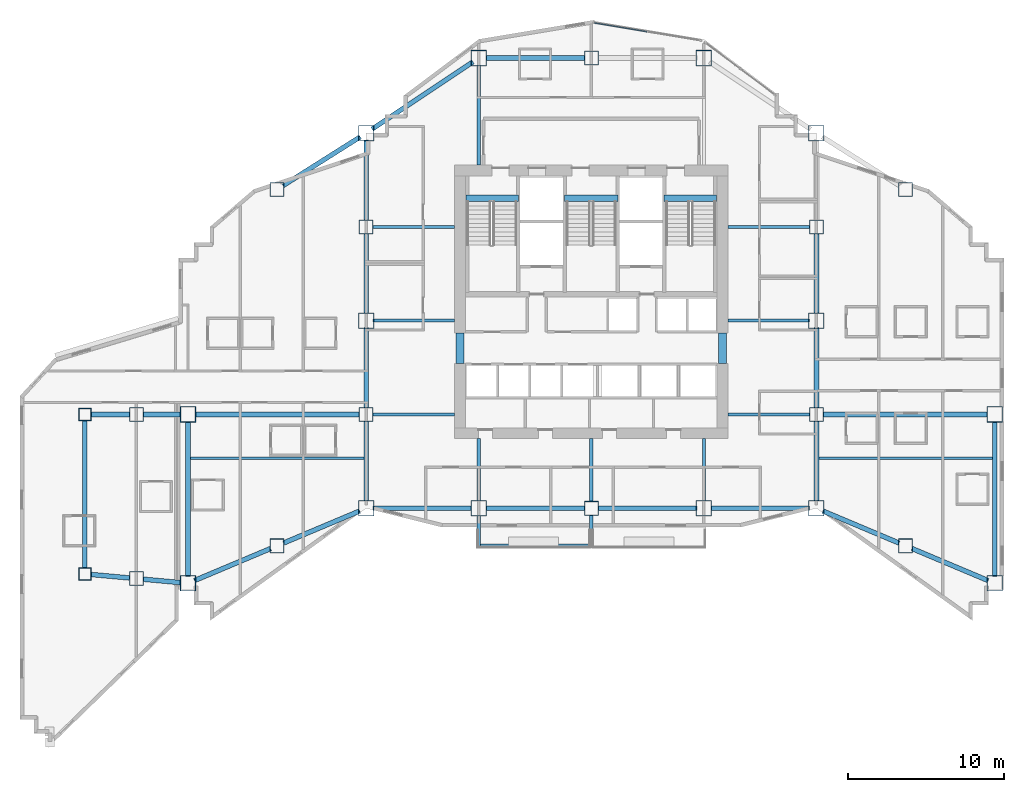
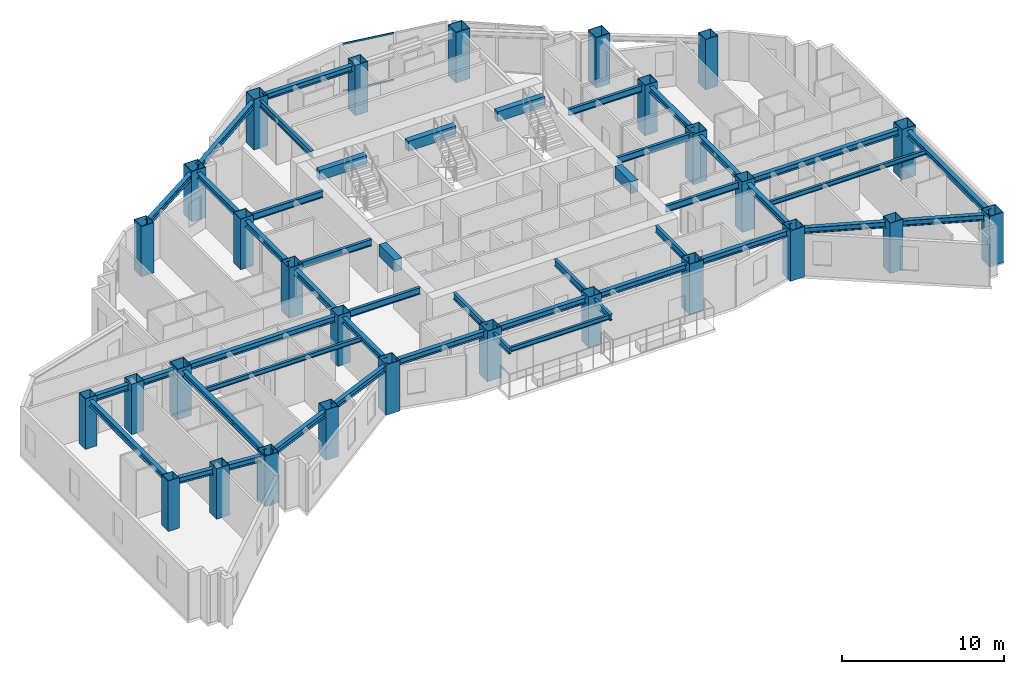
# One storey, part 1 of 14: 47 beams, 28 columns, 2 members, 1 element without a shape of its own.
"""IFC4 building model written with IfcOpenShell, lengths in metres."""

from ifc_helpers import new_model, si_unit, direction, frame, origin, origin_2d, place, context, subcontext, project, spatial, rectangle, hollow_rectangle, i_section, extrude, material, layer, layer_set, material_profile, profile_set, type_object, element, aggregate, save


model = new_model("IFC4")

# Units and contexts
model_context = context("Model", 3, precision=1e-05, world=origin(), true_north=direction((0.0, 1.0)))
body_context = subcontext(model_context, "Body", "Model", "MODEL_VIEW")
ifc_project = project(units=[si_unit("LENGTHUNIT", "METRE"), si_unit("AREAUNIT", "SQUARE_METRE"), si_unit("VOLUMEUNIT", "CUBIC_METRE"), si_unit("PLANEANGLEUNIT", "RADIAN"), si_unit("MASSUNIT", "GRAM", prefix="KILO")], contexts=[model_context])

# Site, building, storey
site_placement = place(None, origin())
site = spatial("IfcSite", under=ifc_project, at=site_placement, CompositionType="ELEMENT")
building_placement = place(site_placement, origin())
building = spatial("IfcBuilding", under=site, at=building_placement, Name="Haolan Belvedere Tower", CompositionType="ELEMENT")
storey_placement = place(building_placement, frame((0.0, 0.0, 121.199951171875)))
storey = spatial("IfcBuildingStorey", under=building, at=storey_placement, Name="L30", CompositionType="ELEMENT", Elevation=121.199951171875)

# Columns
ifc_material_1 = material(Name="Steel Q420GJC", Category="steel")
ifc_material_profile_1 = material_profile(ifc_material_1, hollow_rectangle(XDim=1.0, YDim=1.0, WallThickness=0.0380859375, at=origin_2d()), Name="Steel Q420GJC")
ifc_profile_set_1 = profile_set([ifc_material_profile_1], Name="Steel Q420GJC")
column_type_1 = type_object("IfcColumnType", Name="COL-BOX1000x1000x38", PredefinedType="COLUMN", material=ifc_profile_set_1)
for number, where, z_axis, x_axis, name in (
    (1, (24.0, 21.60009765625, 0.0), (0.0, 0.0, 1.0), (1.0, 0.0, 0.0), "L30 column MC-T3-SW (BOX1000x1000x38)"),
    (2, (24.0, 33.60009765625, 0.0), (0.0, 0.0, 1.0), (1.0, 0.0, 0.0), "L30 column MC-T3-MW (BOX1000x1000x38)"),
    (3, (24.0, 45.60009765625, 0.0), (0.0, 0.0, 1.0), (1.0, 0.0, 0.0), "L30 column MC-T3-NW (BOX1000x1000x38)"),
    (4, (52.800048828125, 21.60009765625, 0.0), (0.0, 0.0, 1.0), (1.0, 0.0, 0.0), "L30 column MC-T3-SE (BOX1000x1000x38)"),
    (5, (52.800048828125, 33.60009765625, 0.0), (0.0, 0.0, 1.0), (1.0, 0.0, 0.0), "L30 column MC-T3-ME (BOX1000x1000x38)"),
    (6, (52.800048828125, 45.60009765625, 0.0), (0.0, 0.0, 1.0), (1.0, 0.0, 0.0), "L30 column MC-T3-NE (BOX1000x1000x38)"),
    (7, (31.199951171875, 21.60009765625, 0.0), (0.0, 0.0, 1.0), (1.0, 0.0, 0.0), "L30 column MC-T3-S1 (BOX1000x1000x38)"),
    (8, (45.60009765625, 21.60009765625, 0.0), (0.0, 0.0, 1.0), (1.0, 0.0, 0.0), "L30 column MC-T3-S2 (BOX1000x1000x38)"),
    (9, (31.199951171875, 50.39990234375, 0.0), (0.0, 0.0, 1.0), (1.0, 0.0, 0.0), "L30 column MC-T3-N1 (BOX1000x1000x38)"),
    (10, (45.60009765625, 50.39990234375, 0.0), (0.0, 0.0, 1.0), (1.0, 0.0, 0.0), "L30 column MC-T3-N2 (BOX1000x1000x38)"),
    (11, (12.60009765625, 16.800048828125, 0.0), (0.0, 0.0, 1.0), (1.0, 0.0, 0.0), "L30 column MC-T2-SW (BOX1000x1000x38)"),
    (12, (12.60009765625, 27.60009765625, 0.0), (0.0, 0.0, 1.0), (1.0, 0.0, 0.0), "L30 column MC-T2-MW (BOX1000x1000x38)"),
    (13, (64.199951171875, 16.800048828125, 0.0), (0.0, 0.0, 1.0), (1.0, 0.0, 0.0), "L30 column MC-T4-SE (BOX1000x1000x38)"),
    (14, (64.199951171875, 27.60009765625, 0.0), (0.0, 0.0, 1.0), (1.0, 0.0, 0.0), "L30 column MC-T4-ME (BOX1000x1000x38)"),
):
    element("IfcColumn", number, at=place(storey_placement, frame(where, z_axis=z_axis, x_axis=x_axis)), inside=storey, type_object=column_type_1, Name=name, PredefinedType="COLUMN", context=body_context, shape_type="SweptSolid", body=[
        extrude(hollow_rectangle(XDim=1.0, YDim=1.0, WallThickness=0.0380859375, at=origin_2d()), origin(), (0.0, 0.0, 1.0), 3.800048828125),
    ])
ifc_material_2 = material(Name="Steel Q390GJC", Category="steel")
ifc_material_profile_2 = material_profile(ifc_material_2, hollow_rectangle(XDim=0.800048828125, YDim=0.800048828125, WallThickness=0.030029296875, at=origin_2d()), Name="Steel Q390GJC")
ifc_profile_set_2 = profile_set([ifc_material_profile_2], Name="Steel Q390GJC")
column_type_2 = type_object("IfcColumnType", Name="COL-BOX800x800x30", PredefinedType="COLUMN", material=ifc_profile_set_2)
for number, where, z_axis, x_axis, name in (
    (15, (6.0, 17.39990234375, 0.0), (0.0, 0.0, 1.0), (1.0, 0.0, 0.0), "L30 column MC-T1-SW (BOX800x800x30)"),
    (16, (6.0, 27.60009765625, 0.0), (0.0, 0.0, 1.0), (1.0, 0.0, 0.0), "L30 column MC-T1-NW (BOX800x800x30)"),
):
    element("IfcColumn", number, at=place(storey_placement, frame(where, z_axis=z_axis, x_axis=x_axis)), inside=storey, type_object=column_type_2, Name=name, PredefinedType="COLUMN", context=body_context, shape_type="SweptSolid", body=[
        extrude(hollow_rectangle(XDim=0.800048828125, YDim=0.800048828125, WallThickness=0.030029296875, at=origin_2d()), origin(), (0.0, 0.0, 1.0), 3.800048828125),
    ])
ifc_material_profile_3 = material_profile(ifc_material_2, hollow_rectangle(XDim=0.89990234375, YDim=0.89990234375, WallThickness=0.033935546875, at=origin_2d()), Name="Steel Q390GJC")
ifc_profile_set_3 = profile_set([ifc_material_profile_3], Name="Steel Q390GJC")
column_type_3 = type_object("IfcColumnType", Name="COL-BOX900x900x34", PredefinedType="COLUMN", material=ifc_profile_set_3)
for number, where, z_axis, x_axis, name in (
    (17, (24.0, 27.60009765625, 0.0), (0.0, 0.0, 1.0), (1.0, 0.0, 0.0), "L30 column TC-T3-W1 (BOX900x900x34)"),
    (18, (24.0, 39.60009765625, 0.0), (0.0, 0.0, 1.0), (1.0, 0.0, 0.0), "L30 column TC-T3-W2 (BOX900x900x34)"),
    (19, (52.800048828125, 27.60009765625, 0.0), (0.0, 0.0, 1.0), (1.0, 0.0, 0.0), "L30 column TC-T3-E1 (BOX900x900x34)"),
    (20, (52.800048828125, 39.60009765625, 0.0), (0.0, 0.0, 1.0), (1.0, 0.0, 0.0), "L30 column TC-T3-E2 (BOX900x900x34)"),
    (21, (38.39990234375, 21.60009765625, 0.0), (0.0, 0.0, 1.0), (1.0, 0.0, 0.0), "L30 column TC-T3-SM (BOX900x900x34)"),
    (22, (38.39990234375, 50.39990234375, 0.0), (0.0, 0.0, 1.0), (1.0, 0.0, 0.0), "L30 column TC-T3-NM (BOX900x900x34)"),
    (23, (18.300048828125, 19.199951171875, 0.0), (0.0, 0.0, 1.0), (1.0, 0.0, 0.0), "L30 column TC-T2-S1 (BOX900x900x34)"),
    (24, (18.300048828125, 42.0, 0.0), (0.0, 0.0, 1.0), (1.0, 0.0, 0.0), "L30 column TC-T2-N1 (BOX900x900x34)"),
    (25, (58.5, 19.199951171875, 0.0), (0.0, 0.0, 1.0), (1.0, 0.0, 0.0), "L30 column TC-T4-S1 (BOX900x900x34)"),
    (26, (58.5, 42.0, 0.0), (0.0, 0.0, 1.0), (1.0, 0.0, 0.0), "L30 column TC-T4-N1 (BOX900x900x34)"),
    (27, (9.300048828125, 17.10009765625, 0.0), (0.0, 0.0, 1.0), (1.0, 0.0, 0.0), "L30 column TC-T1-M1 (BOX900x900x34)"),
    (28, (9.300048828125, 27.60009765625, 0.0), (0.0, 0.0, 1.0), (1.0, 0.0, 0.0), "L30 column TC-T1-M2 (BOX900x900x34)"),
):
    element("IfcColumn", number, at=place(storey_placement, frame(where, z_axis=z_axis, x_axis=x_axis)), inside=storey, type_object=column_type_3, Name=name, PredefinedType="COLUMN", context=body_context, shape_type="SweptSolid", body=[
        extrude(hollow_rectangle(XDim=0.89990234375, YDim=0.89990234375, WallThickness=0.033935546875, at=origin_2d()), origin(), (0.0, 0.0, 1.0), 3.800048828125),
    ])

# Beams
ifc_material_3 = material(Name="Steel Q355B", Category="steel")
ifc_material_profile_4 = material_profile(ifc_material_3, i_section(OverallWidth=0.300048828125, OverallDepth=0.43994140625, WebThickness=0.010986328125, FlangeThickness=0.01806640625, FilletRadius=0.02392578125, at=origin_2d()), Name="Steel Q355B")
ifc_profile_set_4 = profile_set([ifc_material_profile_4], Name="Steel Q355B")
beam_type_1 = type_object("IfcBeamType", Name="BM-HM440x300x11x18", PredefinedType="SPANDREL", material=ifc_profile_set_4)
for number, where, z_axis, x_axis, name in (
    (29, (24.0, 22.050048828125, 3.380126953125), (0.0, 1.0, 0.0), (-1.0, 0.0, 0.0), "L30 spandrel girder MC-T3-SW-TC-T3-W1"),
    (30, (24.0, 28.050048828125, 3.380126953125), (0.0, 1.0, 0.0), (-1.0, 0.0, 0.0), "L30 spandrel girder TC-T3-W1-MC-T3-MW"),
    (31, (24.0, 34.050048828125, 3.380126953125), (0.0, 1.0, 0.0), (-1.0, 0.0, 0.0), "L30 spandrel girder MC-T3-MW-TC-T3-W2"),
    (32, (24.0, 40.050048828125, 3.380126953125), (0.0, 1.0, 0.0), (-1.0, 0.0, 0.0), "L30 spandrel girder TC-T3-W2-MC-T3-NW"),
    (33, (52.800048828125, 22.050048828125, 3.380126953125), (0.0, 1.0, 0.0), (-1.0, 0.0, 0.0), "L30 spandrel girder MC-T3-SE-TC-T3-E1"),
    (34, (52.800048828125, 28.050048828125, 3.380126953125), (0.0, 1.0, 0.0), (-1.0, 0.0, 0.0), "L30 spandrel girder TC-T3-E1-MC-T3-ME"),
    (35, (52.800048828125, 34.050048828125, 3.380126953125), (0.0, 1.0, 0.0), (-1.0, 0.0, 0.0), "L30 spandrel girder MC-T3-ME-TC-T3-E2"),
):
    element("IfcBeam", number, at=place(storey_placement, frame(where, z_axis=z_axis, x_axis=x_axis)), inside=storey, type_object=beam_type_1, Name=name, PredefinedType="SPANDREL", context=body_context, shape_type="SweptSolid", body=[
        extrude(i_section(OverallWidth=0.300048828125, OverallDepth=0.43994140625, WebThickness=0.010986328125, FlangeThickness=0.01806640625, FilletRadius=0.02392578125, at=origin_2d()), origin(), (0.0, 0.0, 1.0), 5.099853515625),
    ])
for number, where, z_axis, x_axis, name in (
    (36, (24.449951171875, 21.60009765625, 3.380126953125), (1.0, 0.0, 0.0), (0.0, 1.0, 0.0), "L30 spandrel girder MC-T3-SW-MC-T3-S1"),
    (37, (31.64990234375, 21.60009765625, 3.380126953125), (1.0, 0.0, 0.0), (0.0, 1.0, 0.0), "L30 spandrel girder MC-T3-S1-TC-T3-SM"),
):
    element("IfcBeam", number, at=place(storey_placement, frame(where, z_axis=z_axis, x_axis=x_axis)), inside=storey, type_object=beam_type_1, Name=name, PredefinedType="SPANDREL", context=body_context, shape_type="SweptSolid", body=[
        extrude(i_section(OverallWidth=0.300048828125, OverallDepth=0.43994140625, WebThickness=0.010986328125, FlangeThickness=0.01806640625, FilletRadius=0.02392578125, at=origin_2d()), origin(), (0.0, 0.0, 1.0), 6.300048828125),
    ])
beam_1_placement = place(storey_placement, frame((38.85009765625, 21.60009765625, 3.380126953125), z_axis=(1.0, 0.0, 0.0), x_axis=(0.0, 1.0, 0.0)))
element("IfcBeam", 38, at=beam_1_placement, inside=storey, type_object=beam_type_1, Name="L30 spandrel girder TC-T3-SM-MC-T3-S2", PredefinedType="SPANDREL", context=body_context, shape_type="SweptSolid", body=[
    extrude(i_section(OverallWidth=0.300048828125, OverallDepth=0.43994140625, WebThickness=0.010986328125, FlangeThickness=0.01806640625, FilletRadius=0.02392578125, at=origin_2d()), origin(), (0.0, 0.0, 1.0), 6.2998046875),
])
beam_2_placement = place(storey_placement, frame((46.050048828125, 21.60009765625, 3.380126953125), z_axis=(1.0, 0.0, 0.0), x_axis=(0.0, 1.0, 0.0)))
element("IfcBeam", 39, at=beam_2_placement, inside=storey, type_object=beam_type_1, Name="L30 spandrel girder MC-T3-S2-MC-T3-SE", PredefinedType="SPANDREL", context=body_context, shape_type="SweptSolid", body=[
    extrude(i_section(OverallWidth=0.300048828125, OverallDepth=0.43994140625, WebThickness=0.010986328125, FlangeThickness=0.01806640625, FilletRadius=0.02392578125, at=origin_2d()), origin(), (0.0, 0.0, 1.0), 6.300048828125),
])
beam_3_placement = place(storey_placement, frame((24.37451171875, 45.849609375, 3.380126953125), z_axis=(0.832050294338, 0.554700196225, 0.0), x_axis=(-0.554700196225, 0.832050294338, 0.0)))
element("IfcBeam", 40, at=beam_3_placement, inside=storey, type_object=beam_type_1, Name="L30 spandrel girder MC-T3-NW-MC-T3-N1", PredefinedType="SPANDREL", context=body_context, shape_type="SweptSolid", body=[
    extrude(i_section(OverallWidth=0.300048828125, OverallDepth=0.43994140625, WebThickness=0.010986328125, FlangeThickness=0.01806640625, FilletRadius=0.02392578125, at=origin_2d()), origin(), (0.0, 0.0, 1.0), 7.75341796875),
])
beam_4_placement = place(storey_placement, frame((31.64990234375, 50.39990234375, 3.380126953125), z_axis=(1.0, 0.0, 0.0), x_axis=(0.0, 1.0, 0.0)))
element("IfcBeam", 41, at=beam_4_placement, inside=storey, type_object=beam_type_1, Name="L30 spandrel girder MC-T3-N1-TC-T3-NM", PredefinedType="SPANDREL", context=body_context, shape_type="SweptSolid", body=[
    extrude(i_section(OverallWidth=0.300048828125, OverallDepth=0.43994140625, WebThickness=0.010986328125, FlangeThickness=0.01806640625, FilletRadius=0.02392578125, at=origin_2d()), origin(), (0.0, 0.0, 1.0), 6.300048828125),
])
beam_5_placement = place(storey_placement, frame((12.60009765625, 17.25, 3.380126953125), z_axis=(0.0, 1.0, 0.0), x_axis=(-1.0, 0.0, 0.0)))
element("IfcBeam", 42, at=beam_5_placement, inside=storey, type_object=beam_type_1, Name="L30 spandrel girder MC-T2-SW-MC-T2-MW", PredefinedType="SPANDREL", context=body_context, shape_type="SweptSolid", body=[
    extrude(i_section(OverallWidth=0.300048828125, OverallDepth=0.43994140625, WebThickness=0.010986328125, FlangeThickness=0.01806640625, FilletRadius=0.02392578125, at=origin_2d()), origin(), (0.0, 0.0, 1.0), 9.89990234375),
])
beam_6_placement = place(storey_placement, frame((13.0146484375, 16.974609375, 3.380126953125), z_axis=(0.921635375138, 0.388057000058, 0.0), x_axis=(-0.388057000058, 0.921635375138, 0.0)))
element("IfcBeam", 43, at=beam_6_placement, inside=storey, type_object=beam_type_1, Name="L30 spandrel girder MC-T2-SW-TC-T2-S1", PredefinedType="SPANDREL", context=body_context, shape_type="SweptSolid", body=[
    extrude(i_section(OverallWidth=0.300048828125, OverallDepth=0.43994140625, WebThickness=0.010986328125, FlangeThickness=0.01806640625, FilletRadius=0.02392578125, at=origin_2d()), origin(), (0.0, 0.0, 1.0), 5.28466796875),
])
beam_7_placement = place(storey_placement, frame((18.71484375, 19.37451171875, 3.380126953125), z_axis=(0.92162841793, 0.388073523014, 0.0), x_axis=(-0.388073523014, 0.92162841793, 0.0)))
element("IfcBeam", 44, at=beam_7_placement, inside=storey, type_object=beam_type_1, Name="L30 spandrel girder TC-T2-S1-MC-T3-SW", PredefinedType="SPANDREL", context=body_context, shape_type="SweptSolid", body=[
    extrude(i_section(OverallWidth=0.300048828125, OverallDepth=0.43994140625, WebThickness=0.010986328125, FlangeThickness=0.01806640625, FilletRadius=0.02392578125, at=origin_2d()), origin(), (0.0, 0.0, 1.0), 5.284423828125),
])
beam_8_placement = place(storey_placement, frame((18.680419921875, 42.240234375, 3.380126953125), z_axis=(0.845497840649, 0.533978839898, 0.0), x_axis=(-0.533978839898, 0.845497840649, 0.0)))
element("IfcBeam", 45, at=beam_8_placement, inside=storey, type_object=beam_type_1, Name="L30 spandrel girder TC-T2-N1-MC-T3-NW", PredefinedType="SPANDREL", context=body_context, shape_type="SweptSolid", body=[
    extrude(i_section(OverallWidth=0.300048828125, OverallDepth=0.43994140625, WebThickness=0.010986328125, FlangeThickness=0.01806640625, FilletRadius=0.02392578125, at=origin_2d()), origin(), (0.0, 0.0, 1.0), 5.841796875),
])
beam_9_placement = place(storey_placement, frame((13.050048828125, 27.60009765625, 3.380126953125), z_axis=(1.0, 0.0, 0.0), x_axis=(0.0, 1.0, 0.0)))
element("IfcBeam", 46, at=beam_9_placement, inside=storey, type_object=beam_type_1, Name="L30 spandrel girder MC-T2-MW-TC-T3-W1", PredefinedType="SPANDREL", context=body_context, shape_type="SweptSolid", body=[
    extrude(i_section(OverallWidth=0.300048828125, OverallDepth=0.43994140625, WebThickness=0.010986328125, FlangeThickness=0.01806640625, FilletRadius=0.02392578125, at=origin_2d()), origin(), (0.0, 0.0, 1.0), 10.5),
])
beam_10_placement = place(storey_placement, frame((64.199951171875, 17.25, 3.380126953125), z_axis=(0.0, 1.0, 0.0), x_axis=(-1.0, 0.0, 0.0)))
element("IfcBeam", 47, at=beam_10_placement, inside=storey, type_object=beam_type_1, Name="L30 spandrel girder MC-T4-SE-MC-T4-ME", PredefinedType="SPANDREL", context=body_context, shape_type="SweptSolid", body=[
    extrude(i_section(OverallWidth=0.300048828125, OverallDepth=0.43994140625, WebThickness=0.010986328125, FlangeThickness=0.01806640625, FilletRadius=0.02392578125, at=origin_2d()), origin(), (0.0, 0.0, 1.0), 9.89990234375),
])
for number, where, z_axis, x_axis, name in (
    (48, (53.21484375, 21.42529296875, 3.380126953125), (0.92162841793, -0.388073523014, 0.0), (0.388073523014, 0.92162841793, 0.0), "L30 spandrel girder MC-T3-SE-TC-T4-S1"),
    (49, (58.914794921875, 19.025390625, 3.380126953125), (0.92162841793, -0.388073523014, 0.0), (0.388073523014, 0.92162841793, 0.0), "L30 spandrel girder TC-T4-S1-MC-T4-SE"),
):
    element("IfcBeam", number, at=place(storey_placement, frame(where, z_axis=z_axis, x_axis=x_axis)), inside=storey, type_object=beam_type_1, Name=name, PredefinedType="SPANDREL", context=body_context, shape_type="SweptSolid", body=[
        extrude(i_section(OverallWidth=0.300048828125, OverallDepth=0.43994140625, WebThickness=0.010986328125, FlangeThickness=0.01806640625, FilletRadius=0.02392578125, at=origin_2d()), origin(), (0.0, 0.0, 1.0), 5.284423828125),
    ])
beam_11_placement = place(storey_placement, frame((53.25, 27.60009765625, 3.380126953125), z_axis=(1.0, 0.0, 0.0), x_axis=(0.0, 1.0, 0.0)))
element("IfcBeam", 50, at=beam_11_placement, inside=storey, type_object=beam_type_1, Name="L30 spandrel girder TC-T3-E1-MC-T4-ME", PredefinedType="SPANDREL", context=body_context, shape_type="SweptSolid", body=[
    extrude(i_section(OverallWidth=0.300048828125, OverallDepth=0.43994140625, WebThickness=0.010986328125, FlangeThickness=0.01806640625, FilletRadius=0.02392578125, at=origin_2d()), origin(), (0.0, 0.0, 1.0), 10.5),
])
beam_12_placement = place(storey_placement, frame((6.0, 17.800048828125, 3.380126953125), z_axis=(0.0, 1.0, 0.0), x_axis=(-1.0, 0.0, 0.0)))
element("IfcBeam", 51, at=beam_12_placement, inside=storey, type_object=beam_type_1, Name="L30 spandrel girder MC-T1-SW-MC-T1-NW", PredefinedType="SPANDREL", context=body_context, shape_type="SweptSolid", body=[
    extrude(i_section(OverallWidth=0.300048828125, OverallDepth=0.43994140625, WebThickness=0.010986328125, FlangeThickness=0.01806640625, FilletRadius=0.02392578125, at=origin_2d()), origin(), (0.0, 0.0, 1.0), 9.39990234375),
])
beam_13_placement = place(storey_placement, frame((6.3984375, 17.36376953125, 3.380126953125), z_axis=(0.995889143855, -0.090580423672, 0.0), x_axis=(0.090580423672, 0.995889143855, 0.0)))
element("IfcBeam", 52, at=beam_13_placement, inside=storey, type_object=beam_type_1, Name="L30 spandrel girder MC-T1-SW-TC-T1-M1", PredefinedType="SPANDREL", context=body_context, shape_type="SweptSolid", body=[
    extrude(i_section(OverallWidth=0.300048828125, OverallDepth=0.43994140625, WebThickness=0.010986328125, FlangeThickness=0.01806640625, FilletRadius=0.02392578125, at=origin_2d()), origin(), (0.0, 0.0, 1.0), 2.46337890625),
])
beam_14_placement = place(storey_placement, frame((9.748046875, 17.059326171875, 3.380126953125), z_axis=(0.9958940355, -0.090526626221, 0.0), x_axis=(0.090526626221, 0.9958940355, 0.0)))
element("IfcBeam", 53, at=beam_14_placement, inside=storey, type_object=beam_type_1, Name="L30 spandrel girder TC-T1-M1-MC-T2-SW", PredefinedType="SPANDREL", context=body_context, shape_type="SweptSolid", body=[
    extrude(i_section(OverallWidth=0.300048828125, OverallDepth=0.43994140625, WebThickness=0.010986328125, FlangeThickness=0.01806640625, FilletRadius=0.02392578125, at=origin_2d()), origin(), (0.0, 0.0, 1.0), 2.413818359375),
])
beam_15_placement = place(storey_placement, frame((6.39990234375, 27.60009765625, 3.380126953125), z_axis=(1.0, 0.0, 0.0), x_axis=(0.0, 1.0, 0.0)))
element("IfcBeam", 54, at=beam_15_placement, inside=storey, type_object=beam_type_1, Name="L30 spandrel girder MC-T1-NW-TC-T1-M2", PredefinedType="SPANDREL", context=body_context, shape_type="SweptSolid", body=[
    extrude(i_section(OverallWidth=0.300048828125, OverallDepth=0.43994140625, WebThickness=0.010986328125, FlangeThickness=0.01806640625, FilletRadius=0.02392578125, at=origin_2d()), origin(), (0.0, 0.0, 1.0), 2.4501953125),
])
beam_16_placement = place(storey_placement, frame((9.75, 27.60009765625, 3.380126953125), z_axis=(1.0, 0.0, 0.0), x_axis=(0.0, 1.0, 0.0)))
element("IfcBeam", 55, at=beam_16_placement, inside=storey, type_object=beam_type_1, Name="L30 spandrel girder TC-T1-M2-MC-T2-MW", PredefinedType="SPANDREL", context=body_context, shape_type="SweptSolid", body=[
    extrude(i_section(OverallWidth=0.300048828125, OverallDepth=0.43994140625, WebThickness=0.010986328125, FlangeThickness=0.01806640625, FilletRadius=0.02392578125, at=origin_2d()), origin(), (0.0, 0.0, 1.0), 2.39990234375),
])
ifc_material_profile_5 = material_profile(ifc_material_3, i_section(OverallWidth=0.175048828125, OverallDepth=0.35009765625, WebThickness=0.007080078125, FlangeThickness=0.010986328125, FilletRadius=0.012939453125, at=origin_2d()), Name="Steel Q355B")
ifc_profile_set_5 = profile_set([ifc_material_profile_5], Name="Steel Q355B")
beam_type_2 = type_object("IfcBeamType", Name="BM-HN350x175x7x11", PredefinedType="JOIST", material=ifc_profile_set_5)
for number, where, z_axis, x_axis, name in (
    (56, (12.75, 24.800048828125, 3.425048828125), (1.0, 0.0, 0.0), (0.0, 1.0, 0.0), "L30 west wing floor joist 1"),
    (57, (52.949951171875, 24.800048828125, 3.425048828125), (1.0, 0.0, 0.0), (0.0, 1.0, 0.0), "L30 east wing floor joist 1"),
):
    element("IfcBeam", number, at=place(storey_placement, frame(where, z_axis=z_axis, x_axis=x_axis)), inside=storey, type_object=beam_type_2, Name=name, PredefinedType="JOIST", context=body_context, shape_type="SweptSolid", body=[
        extrude(i_section(OverallWidth=0.175048828125, OverallDepth=0.35009765625, WebThickness=0.007080078125, FlangeThickness=0.010986328125, FilletRadius=0.012939453125, at=origin_2d()), origin(), (0.0, 0.0, 1.0), 11.10009765625),
    ])
beam_17_placement = place(storey_placement, frame((31.300048828125, 19.239990234375, 3.39501953125), z_axis=(1.0, 0.0, 0.0), x_axis=(0.0, 1.0, 0.0)))
element("IfcBeam", 58, at=beam_17_placement, inside=storey, type_object=beam_type_2, Name="L31 tree-balcony front trimmer beam 1", PredefinedType="BEAM", context=body_context, shape_type="SweptSolid", body=[
    extrude(i_section(OverallWidth=0.175048828125, OverallDepth=0.35009765625, WebThickness=0.007080078125, FlangeThickness=0.010986328125, FilletRadius=0.012939453125, at=origin_2d()), origin(), (0.0, 0.0, 1.0), 7.0),
])
ifc_material_profile_6 = material_profile(ifc_material_3, i_section(OverallWidth=0.199951171875, OverallDepth=0.449951171875, WebThickness=0.009033203125, FlangeThickness=0.013916015625, FilletRadius=0.01611328125, at=origin_2d()), Name="Steel Q355B")
ifc_profile_set_6 = profile_set([ifc_material_profile_6], Name="Steel Q355B")
beam_type_3 = type_object("IfcBeamType", Name="BM-HN450x200x9x14", PredefinedType="BEAM", material=ifc_profile_set_6)
beam_18_placement = place(storey_placement, frame((31.199951171875, 21.10009765625, 3.344970703125), z_axis=(0.0, -1.0, 0.0), x_axis=(1.0, 0.0, 0.0)))
element("IfcBeam", 59, at=beam_18_placement, inside=storey, type_object=beam_type_3, Name="L31 tree-balcony column cantilever MC-T3-S1", PredefinedType="BEAM", context=body_context, shape_type="SweptSolid", body=[
    extrude(i_section(OverallWidth=0.199951171875, OverallDepth=0.449951171875, WebThickness=0.009033203125, FlangeThickness=0.013916015625, FilletRadius=0.01611328125, at=origin_2d()), origin(), (0.0, 0.0, 1.0), 1.960205078125),
])
beam_19_placement = place(storey_placement, frame((38.39990234375, 21.14990234375, 3.344970703125), z_axis=(0.0, -1.0, 0.0), x_axis=(1.0, 0.0, 0.0)))
element("IfcBeam", 60, at=beam_19_placement, inside=storey, type_object=beam_type_3, Name="L31 tree-balcony column cantilever TC-T3-SM", PredefinedType="BEAM", context=body_context, shape_type="SweptSolid", body=[
    extrude(i_section(OverallWidth=0.199951171875, OverallDepth=0.449951171875, WebThickness=0.009033203125, FlangeThickness=0.013916015625, FilletRadius=0.01611328125, at=origin_2d()), origin(), (0.0, 0.0, 1.0), 2.010009765625),
])
ifc_material_profile_7 = material_profile(ifc_material_3, i_section(OverallWidth=0.199951171875, OverallDepth=0.5, WebThickness=0.010009765625, FlangeThickness=0.01611328125, FilletRadius=0.02001953125, at=origin_2d()), Name="Steel Q355B")
ifc_profile_set_7 = profile_set([ifc_material_profile_7], Name="Steel Q355B")
beam_type_4 = type_object("IfcBeamType", Name="BM-HN500x200x10x16", PredefinedType="BEAM", material=ifc_profile_set_7)
for number, where, z_axis, x_axis, name in (
    (61, (24.449951171875, 33.60009765625, 3.35009765625), (1.0, 0.0, 0.0), (0.0, 1.0, 0.0), "L30 core tie beam from MC-T3-MW"),
    (62, (24.449951171875, 27.60009765625, 3.35009765625), (1.0, 0.0, 0.0), (0.0, 1.0, 0.0), "L30 core tie beam from TC-T3-W1"),
    (63, (24.449951171875, 39.60009765625, 3.35009765625), (1.0, 0.0, 0.0), (0.0, 1.0, 0.0), "L30 core tie beam from TC-T3-W2"),
):
    element("IfcBeam", number, at=place(storey_placement, frame(where, z_axis=z_axis, x_axis=x_axis)), inside=storey, type_object=beam_type_4, Name=name, PredefinedType="BEAM", context=body_context, shape_type="SweptSolid", body=[
        extrude(i_section(OverallWidth=0.199951171875, OverallDepth=0.5, WebThickness=0.010009765625, FlangeThickness=0.01611328125, FilletRadius=0.02001953125, at=origin_2d()), origin(), (0.0, 0.0, 1.0), 5.199951171875),
    ])
for number, where, z_axis, x_axis, name in (
    (64, (52.35009765625, 33.60009765625, 3.35009765625), (-1.0, 0.0, 0.0), (0.0, -1.0, 0.0), "L30 core tie beam from MC-T3-ME"),
    (65, (52.35009765625, 27.60009765625, 3.35009765625), (-1.0, 0.0, 0.0), (0.0, -1.0, 0.0), "L30 core tie beam from TC-T3-E1"),
    (66, (52.35009765625, 39.60009765625, 3.35009765625), (-1.0, 0.0, 0.0), (0.0, -1.0, 0.0), "L30 core tie beam from TC-T3-E2"),
):
    element("IfcBeam", number, at=place(storey_placement, frame(where, z_axis=z_axis, x_axis=x_axis)), inside=storey, type_object=beam_type_4, Name=name, PredefinedType="BEAM", context=body_context, shape_type="SweptSolid", body=[
        extrude(i_section(OverallWidth=0.199951171875, OverallDepth=0.5, WebThickness=0.010009765625, FlangeThickness=0.01611328125, FilletRadius=0.02001953125, at=origin_2d()), origin(), (0.0, 0.0, 1.0), 5.2001953125),
    ])
for number, where, z_axis, x_axis, name in (
    (67, (31.199951171875, 22.050048828125, 3.35009765625), (0.0, 1.0, 0.0), (-1.0, 0.0, 0.0), "L30 core tie beam from MC-T3-S1"),
    (68, (38.39990234375, 22.050048828125, 3.35009765625), (0.0, 1.0, 0.0), (-1.0, 0.0, 0.0), "L30 core tie beam from TC-T3-SM"),
    (69, (45.60009765625, 22.050048828125, 3.35009765625), (0.0, 1.0, 0.0), (-1.0, 0.0, 0.0), "L30 core tie beam from MC-T3-S2"),
):
    element("IfcBeam", number, at=place(storey_placement, frame(where, z_axis=z_axis, x_axis=x_axis)), inside=storey, type_object=beam_type_4, Name=name, PredefinedType="BEAM", context=body_context, shape_type="SweptSolid", body=[
        extrude(i_section(OverallWidth=0.199951171875, OverallDepth=0.5, WebThickness=0.010009765625, FlangeThickness=0.01611328125, FilletRadius=0.02001953125, at=origin_2d()), origin(), (0.0, 0.0, 1.0), 4.0),
    ])
beam_20_placement = place(storey_placement, frame((31.199951171875, 49.949951171875, 3.35009765625), z_axis=(0.0, -1.0, 0.0), x_axis=(1.0, 0.0, 0.0)))
element("IfcBeam", 70, at=beam_20_placement, inside=storey, type_object=beam_type_4, Name="L30 core tie beam from MC-T3-N1", PredefinedType="BEAM", context=body_context, shape_type="SweptSolid", body=[
    extrude(i_section(OverallWidth=0.199951171875, OverallDepth=0.5, WebThickness=0.010009765625, FlangeThickness=0.01611328125, FilletRadius=0.02001953125, at=origin_2d()), origin(), (0.0, 0.0, 1.0), 6.39990234375),
])
ifc_material_4 = material(Name="Concrete C50/60", Category="concrete")
ifc_material_profile_8 = material_profile(ifc_material_4, rectangle(XDim=0.39990234375, YDim=0.75, at=origin_2d()), Name="Concrete C50/60")
ifc_profile_set_8 = profile_set([ifc_material_profile_8], Name="Concrete C50/60")
beam_type_5 = type_object("IfcBeamType", Name="BM-RC400x750", PredefinedType="T_BEAM", material=ifc_profile_set_8)
beam_21_placement = place(storey_placement, frame((30.3798828125, 41.429931640625, 3.425048828125), z_axis=(1.0, 0.0, 0.0), x_axis=(0.0, 1.0, 0.0)))
element("IfcBeam", 71, at=beam_21_placement, inside=storey, type_object=beam_type_5, Name="L31 stair ST1 RC header trimmer beam", PredefinedType="BEAM", context=body_context, shape_type="SweptSolid", body=[
    extrude(rectangle(XDim=0.39990234375, YDim=0.75, at=origin_2d()), origin(), (0.0, 0.0, 1.0), 3.360107421875),
])
beam_22_placement = place(storey_placement, frame((36.699951171875, 41.429931640625, 3.425048828125), z_axis=(1.0, 0.0, 0.0), x_axis=(0.0, 1.0, 0.0)))
element("IfcBeam", 72, at=beam_22_placement, inside=storey, type_object=beam_type_5, Name="L31 stair ST3 RC header trimmer beam", PredefinedType="BEAM", context=body_context, shape_type="SweptSolid", body=[
    extrude(rectangle(XDim=0.39990234375, YDim=0.75, at=origin_2d()), origin(), (0.0, 0.0, 1.0), 3.400146484375),
])
beam_23_placement = place(storey_placement, frame((43.06005859375, 41.429931640625, 3.425048828125), z_axis=(1.0, 0.0, 0.0), x_axis=(0.0, 1.0, 0.0)))
element("IfcBeam", 73, at=beam_23_placement, inside=storey, type_object=beam_type_5, Name="L31 stair ST2 RC header trimmer beam", PredefinedType="BEAM", context=body_context, shape_type="SweptSolid", body=[
    extrude(rectangle(XDim=0.39990234375, YDim=0.75, at=origin_2d()), origin(), (0.0, 0.0, 1.0), 3.35986328125),
])
ifc_material_5 = material(Name="Concrete C60/75", Category="concrete")
ifc_material_profile_9 = material_profile(ifc_material_5, rectangle(XDim=0.5, YDim=0.89990234375, at=origin_2d()), Name="Concrete C60/75")
ifc_profile_set_9 = profile_set([ifc_material_profile_9], Name="Concrete C60/75")
beam_type_6 = type_object("IfcBeamType", Name="BM-RC500x900", PredefinedType="LINTEL", material=ifc_profile_set_9)
for number, where, z_axis, x_axis, name in (
    (74, (30.0, 30.85009765625, 3.150146484375), (0.0, 1.0, 0.0), (-1.0, 0.0, 0.0), "L30 west core coupling beam CB-01"),
    (75, (46.800048828125, 30.85009765625, 3.150146484375), (0.0, 1.0, 0.0), (-1.0, 0.0, 0.0), "L30 east core coupling beam CB-01"),
):
    element("IfcBeam", number, at=place(storey_placement, frame(where, z_axis=z_axis, x_axis=x_axis)), inside=storey, type_object=beam_type_6, Name=name, PredefinedType="LINTEL", context=body_context, shape_type="SweptSolid", body=[
        extrude(rectangle(XDim=0.5, YDim=0.89990234375, at=origin_2d()), origin(), (0.0, 0.0, 1.0), 1.949951171875),
    ])

# Curtain wall, members
ifc_material_6 = material(Name="Anodised champagne-silver aluminium 6063-T6 and Low-E glass", Category="aluminium")
ifc_layer = layer(ifc_material_6, 0.155029296875, Name="Anodised champagne-silver aluminium 6063-T6 and Low-E glass")
ifc_layer_set = layer_set([ifc_layer], Name="Anodised champagne-silver aluminium 6063-T6 and Low-E glass")
curtain_wall_type = type_object("IfcCurtainWallType", Name="CW-SYS-03", PredefinedType="NOTDEFINED", material=ifc_layer_set)
curtain_wall_placement = place(storey_placement, origin())
curtain_wall = element("IfcCurtainWall", 76, at=curtain_wall_placement, inside=storey, type_object=curtain_wall_type, Name="L30 CW-SYS-03 ribbon curtain wall 27.1", PredefinedType="NOTDEFINED")
ifc_material_7 = material(Name="Anodised aluminium 6063-T6", Category="aluminium")
ifc_material_profile_10 = material_profile(ifc_material_7, hollow_rectangle(XDim=0.053955078125, YDim=0.125, WallThickness=0.00390625, at=origin_2d()), Name="Anodised aluminium 6063-T6")
ifc_profile_set_10 = profile_set([ifc_material_profile_10], Name="Anodised aluminium 6063-T6")
member_type = type_object("IfcMemberType", Name="CW-SYS-03-TRN", PredefinedType="USERDEFINED", material=ifc_profile_set_10)
member_1_placement = place(storey_placement, frame((41.947021484375, 52.087158203125, 0.027099609375), z_axis=(-0.986395865591, 0.16438733633, 0.0), x_axis=(-0.16438733633, -0.986395865591, 0.0)))
member_1 = element("IfcMember", 77, at=member_1_placement, type_object=member_type, Name="CW-03 transom 2.1", ObjectType="TRANSOM", PredefinedType="USERDEFINED", context=body_context, shape_type="SweptSolid", body=[
    extrude(hollow_rectangle(XDim=0.053955078125, YDim=0.125, WallThickness=0.00390625, at=origin_2d()), origin(), (0.0, 0.0, 1.0), 3.39794921875),
])
member_2_placement = place(storey_placement, frame((41.947021484375, 52.087158203125, 3.572998046875), z_axis=(-0.986395865591, 0.16438733633, 0.0), x_axis=(-0.16438733633, -0.986395865591, 0.0)))
member_2 = element("IfcMember", 78, at=member_2_placement, type_object=member_type, Name="CW-03 transom 2.2", ObjectType="TRANSOM", PredefinedType="USERDEFINED", context=body_context, shape_type="SweptSolid", body=[
    extrude(hollow_rectangle(XDim=0.053955078125, YDim=0.125, WallThickness=0.00390625, at=origin_2d()), origin(), (0.0, 0.0, 1.0), 3.39794921875),
])
aggregate(curtain_wall, [member_1, member_2])

save(model, "model.ifc")
